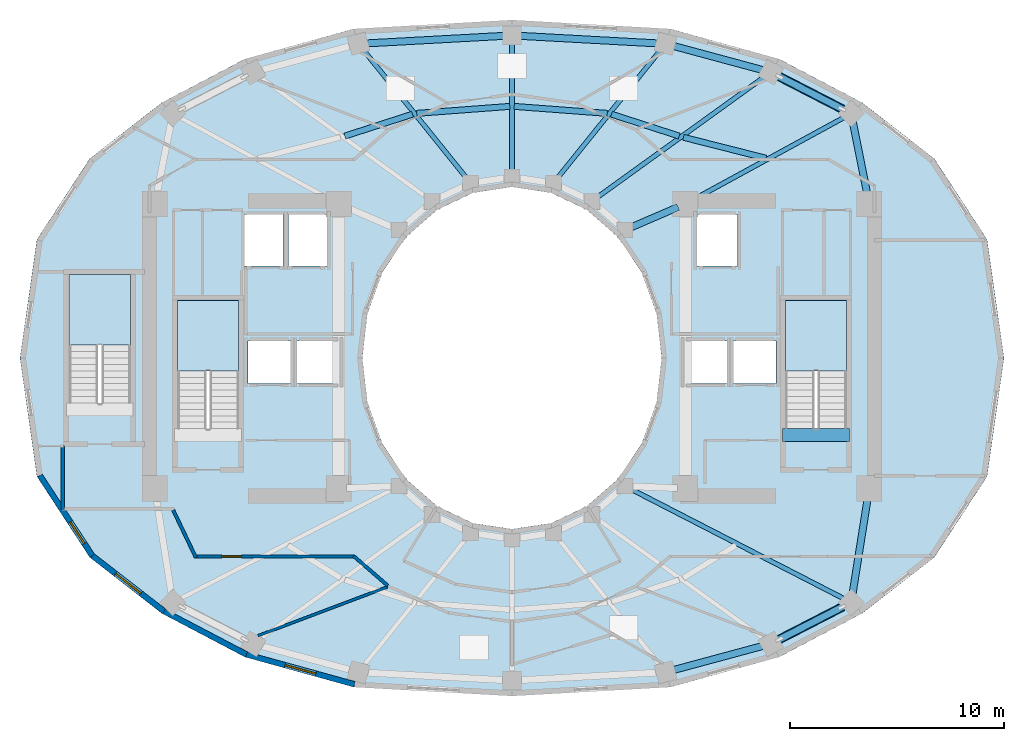
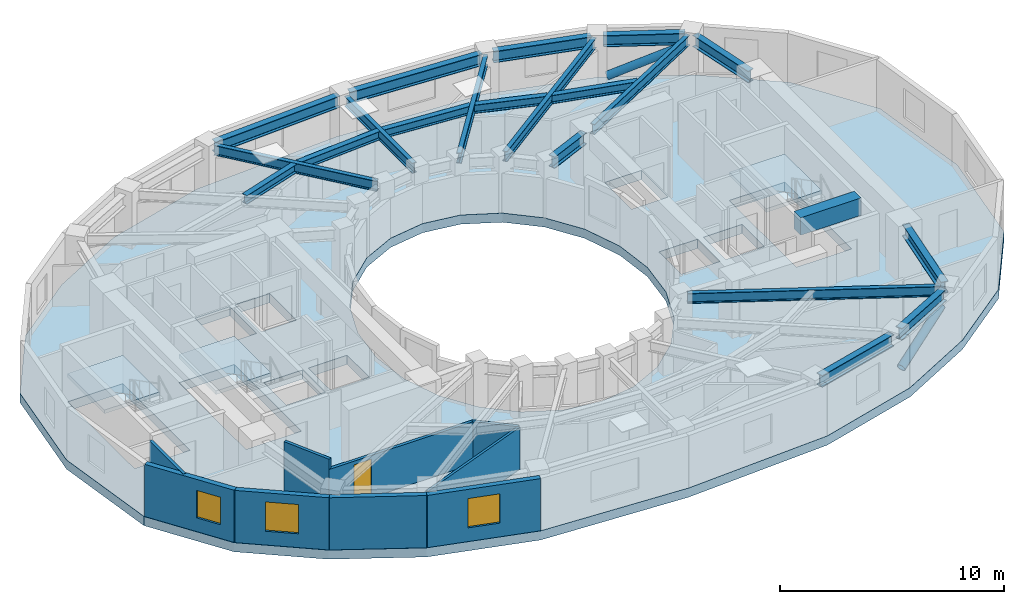
# One storey, part 2 of 9: 21 beams, 9 walls, 4 slabs, 3 windows, 2 members, 1 door, 4 openings, 3 elements without a shape of their own.
"""IFC4 building model written with IfcOpenShell, lengths in metres."""

from ifc_helpers import new_model, si_unit, direction, frame, frame_2d, origin, origin_2d, place, context, subcontext, project, spatial, polyline, rectangle, hollow_circle, i_section, outline, extrude, material, layer, layer_set, material_profile, profile_set, type_object, element, fill, aggregate, save


model = new_model("IFC4")

# Units and contexts
model_context = context("Model", 3, precision=1e-05, world=origin(), true_north=direction((0.0, 1.0)))
body_context = subcontext(model_context, "Body", "Model", "MODEL_VIEW")
ifc_project = project(units=[si_unit("LENGTHUNIT", "METRE"), si_unit("AREAUNIT", "SQUARE_METRE"), si_unit("VOLUMEUNIT", "CUBIC_METRE"), si_unit("PLANEANGLEUNIT", "RADIAN"), si_unit("MASSUNIT", "GRAM", prefix="KILO")], contexts=[model_context])

# Site, building, storey
site_placement = place(None, origin())
site = spatial("IfcSite", under=ifc_project, at=site_placement, CompositionType="ELEMENT")
building_placement = place(site_placement, origin())
building = spatial("IfcBuilding", under=site, at=building_placement, Name="Solvane Sanctuary Tower", CompositionType="ELEMENT")
storey_placement = place(building_placement, frame((0.0, 0.0, 162.199951171875)))
storey = spatial("IfcBuildingStorey", under=building, at=storey_placement, Name="L49", CompositionType="ELEMENT", Elevation=162.199951171875)

# Beams
ifc_material_1 = material(Name="Concrete C70/85", Category="concrete")
ifc_material_profile_1 = material_profile(ifc_material_1, rectangle(XDim=0.60009765625, YDim=0.949951171875, at=origin_2d()), Name="RC600X950")
ifc_profile_set_1 = profile_set([ifc_material_profile_1], Name="Concrete C70/85")
beam_type_1 = type_object("IfcBeamType", Name="Beam B-COUPLE RC600X950", PredefinedType="LINTEL", material=ifc_profile_set_1)
beam_1_placement = place(storey_placement, frame((44.64990234375, 19.399169921875, 2.625), z_axis=(1.0, 0.0, 0.0), x_axis=(0.0, 1.0, 0.0)))
element("IfcBeam", 1, at=beam_1_placement, inside=storey, type_object=beam_type_1, Name="L49 ST-2 Stair Floor Landing Trimmer", PredefinedType="LINTEL", context=body_context, shape_type="SweptSolid", body=[
    extrude(rectangle(XDim=0.60009765625, YDim=0.949951171875, at=origin_2d()), origin(), (0.0, 0.0, 1.0), 3.1201171875),
])
ifc_material_2 = material(Name="Steel ASTM A992 Grade 50", Category="steel")
ifc_material_profile_2 = material_profile(ifc_material_2, i_section(OverallWidth=0.214111328125, OverallDepth=0.549072265625, WebThickness=0.0146484375, FlangeThickness=0.023681640625, FilletRadius=0.014892578125, at=origin_2d()), Name="W21X93")
ifc_profile_set_2 = profile_set([ifc_material_profile_2], Name="Steel ASTM A992 Grade 50")
beam_type_2 = type_object("IfcBeamType", Name="Beam B-RAD-Z3 W21X93", PredefinedType="JOIST", material=ifc_profile_set_2)
beam_2_placement = place(storey_placement, frame((40.416015625, 30.372314453125, 2.603515625), z_axis=(0.878108435277, 0.478461676516, 0.0), x_axis=(-0.478461676516, 0.878108435277, 0.0)))
element("IfcBeam", 2, at=beam_2_placement, inside=storey, type_object=beam_type_2, Name="L49 Radial Composite Floor Beam 01", PredefinedType="JOIST", context=body_context, shape_type="SweptSolid", body=[
    extrude(i_section(OverallWidth=0.214111328125, OverallDepth=0.549072265625, WebThickness=0.0146484375, FlangeThickness=0.023681640625, FilletRadius=0.014892578125, at=origin_2d()), origin(), (0.0, 0.0, 1.0), 8.193359375),
])
beam_3_placement = place(storey_placement, frame((35.95703125, 30.490234375, 2.603515625), z_axis=(0.811184384633, 0.584790470277, 0.0), x_axis=(-0.584790470277, 0.811184384633, 0.0)))
element("IfcBeam", 3, at=beam_3_placement, inside=storey, type_object=beam_type_2, Name="L49 Radial Composite Floor Beam 02", PredefinedType="JOIST", context=body_context, shape_type="SweptSolid", body=[
    extrude(i_section(OverallWidth=0.214111328125, OverallDepth=0.549072265625, WebThickness=0.0146484375, FlangeThickness=0.023681640625, FilletRadius=0.014892578125, at=origin_2d()), origin(), (0.0, 0.0, 1.0), 9.756103515625),
])
beam_4_placement = place(storey_placement, frame((34.1064453125, 31.389892578125, 2.603515625), z_axis=(0.627296867999, 0.778780225352, 0.0), x_axis=(-0.778780225352, 0.627296867999, 0.0)))
element("IfcBeam", 4, at=beam_4_placement, inside=storey, type_object=beam_type_2, Name="L49 Radial Composite Floor Beam 03", PredefinedType="JOIST", context=body_context, shape_type="SweptSolid", body=[
    extrude(i_section(OverallWidth=0.214111328125, OverallDepth=0.549072265625, WebThickness=0.0146484375, FlangeThickness=0.023681640625, FilletRadius=0.014892578125, at=origin_2d()), origin(), (0.0, 0.0, 1.0), 7.805419921875),
])
beam_5_placement = place(storey_placement, frame((32.0, 31.739990234375, 2.603515625), z_axis=(0.0, 1.0, 0.0), x_axis=(-1.0, 0.0, 0.0)))
element("IfcBeam", 5, at=beam_5_placement, inside=storey, type_object=beam_type_2, Name="L49 Radial Composite Floor Beam 04", PredefinedType="JOIST", context=body_context, shape_type="SweptSolid", body=[
    extrude(i_section(OverallWidth=0.214111328125, OverallDepth=0.549072265625, WebThickness=0.0146484375, FlangeThickness=0.023681640625, FilletRadius=0.014892578125, at=origin_2d()), origin(), (0.0, 0.0, 1.0), 6.06005859375),
])
beam_6_placement = place(storey_placement, frame((29.8935546875, 31.389892578125, 2.603515625), z_axis=(-0.627296867999, 0.778780225352, 0.0), x_axis=(-0.778780225352, -0.627296867999, 0.0)))
element("IfcBeam", 6, at=beam_6_placement, inside=storey, type_object=beam_type_2, Name="L49 Radial Composite Floor Beam 05", PredefinedType="JOIST", context=body_context, shape_type="SweptSolid", body=[
    extrude(i_section(OverallWidth=0.214111328125, OverallDepth=0.549072265625, WebThickness=0.0146484375, FlangeThickness=0.023681640625, FilletRadius=0.014892578125, at=origin_2d()), origin(), (0.0, 0.0, 1.0), 7.805419921875),
])
beam_7_placement = place(storey_placement, frame((37.52392578125, 16.889892578125, 2.603515625), z_axis=(0.889204980299, -0.457509019595, 0.0), x_axis=(0.457509019595, 0.889204980299, 0.0)))
element("IfcBeam", 7, at=beam_7_placement, inside=storey, type_object=beam_type_2, Name="L49 Radial Composite Floor Beam 14", PredefinedType="JOIST", context=body_context, shape_type="SweptSolid", body=[
    extrude(i_section(OverallWidth=0.214111328125, OverallDepth=0.549072265625, WebThickness=0.0146484375, FlangeThickness=0.023681640625, FilletRadius=0.014892578125, at=origin_2d()), origin(), (0.0, 0.0, 1.0), 11.340087890625),
])
ifc_material_profile_3 = material_profile(ifc_material_2, i_section(OverallWidth=0.324951171875, OverallDepth=0.615966796875, WebThickness=0.013916015625, FlangeThickness=0.021484375, FilletRadius=0.01611328125, at=origin_2d()), Name="W24X117")
ifc_profile_set_3 = profile_set([ifc_material_profile_3], Name="Steel ASTM A992 Grade 50")
beam_type_3 = type_object("IfcBeamType", Name="Beam B-RING-IN2 W24X117", PredefinedType="BEAM", material=ifc_profile_set_3)
beam_8_placement = place(storey_placement, frame((37.591796875, 29.11865234375, 2.570068359375), z_axis=(0.918264067649, 0.395968561966, 0.0), x_axis=(-0.395968561966, 0.918264067649, 0.0)))
element("IfcBeam", 8, at=beam_8_placement, inside=storey, type_object=beam_type_3, Name="L49 Inner Light-Well Ring Beam IC01-CE4", PredefinedType="BEAM", context=body_context, shape_type="SweptSolid", body=[
    extrude(i_section(OverallWidth=0.324951171875, OverallDepth=0.615966796875, WebThickness=0.013916015625, FlangeThickness=0.021484375, FilletRadius=0.01611328125, at=origin_2d()), origin(), (0.0, 0.0, 1.0), 2.371337890625),
])
ifc_material_profile_4 = material_profile(ifc_material_2, i_section(OverallWidth=0.280029296875, OverallDepth=0.462890625, WebThickness=0.0107421875, FlangeThickness=0.017333984375, FilletRadius=0.013916015625, at=origin_2d()), Name="W18X76")
ifc_profile_set_4 = profile_set([ifc_material_profile_4], Name="Steel ASTM A992 Grade 50")
beam_type_4 = type_object("IfcBeamType", Name="Beam B-SEC-JOIST W18X76", PredefinedType="JOIST", material=ifc_profile_set_4)
beam_9_placement = place(storey_placement, frame((24.18310546875, 33.37451171875, 2.646484375), z_axis=(0.951520984169, 0.307583836842, 0.0), x_axis=(-0.307583836842, 0.951520984169, 0.0)))
element("IfcBeam", 9, at=beam_9_placement, inside=storey, type_object=beam_type_4, Name="L49 Secondary Circumferential Joist 06-05", PredefinedType="JOIST", context=body_context, shape_type="SweptSolid", body=[
    extrude(i_section(OverallWidth=0.280029296875, OverallDepth=0.462890625, WebThickness=0.0107421875, FlangeThickness=0.017333984375, FilletRadius=0.013916015625, at=origin_2d()), origin(), (0.0, 0.0, 1.0), 3.32666015625),
])
for number, where, z_axis, x_axis, name in (
    (10, (27.547119140625, 34.436767578125, 2.646484375), (0.99721035762, 0.074642498994, 0.0), (-0.074642498994, 0.99721035762, 0.0), "L49 Secondary Circumferential Joist 05-04"),
    (11, (32.101806640625, 34.762451171875, 2.646484375), (0.99721035762, -0.074642498994, 0.0), (0.074642498994, 0.99721035762, 0.0), "L49 Secondary Circumferential Joist 04-03"),
):
    element("IfcBeam", number, at=place(storey_placement, frame(where, z_axis=z_axis, x_axis=x_axis)), inside=storey, type_object=beam_type_4, Name=name, PredefinedType="JOIST", context=body_context, shape_type="SweptSolid", body=[
        extrude(i_section(OverallWidth=0.280029296875, OverallDepth=0.462890625, WebThickness=0.0107421875, FlangeThickness=0.017333984375, FilletRadius=0.013916015625, at=origin_2d()), origin(), (0.0, 0.0, 1.0), 4.36328125),
    ])
beam_10_placement = place(storey_placement, frame((36.651611328125, 34.397705078125, 2.646484375), z_axis=(0.951520984169, -0.307583836842, 0.0), x_axis=(0.307583836842, 0.951520984169, 0.0)))
element("IfcBeam", 12, at=beam_10_placement, inside=storey, type_object=beam_type_4, Name="L49 Secondary Circumferential Joist 03-02", PredefinedType="JOIST", context=body_context, shape_type="SweptSolid", body=[
    extrude(i_section(OverallWidth=0.280029296875, OverallDepth=0.462890625, WebThickness=0.0107421875, FlangeThickness=0.017333984375, FilletRadius=0.013916015625, at=origin_2d()), origin(), (0.0, 0.0, 1.0), 3.32666015625),
])
beam_11_placement = place(storey_placement, frame((40.012939453125, 33.31787109375, 2.646484375), z_axis=(0.969378020231, -0.245573316737, 0.0), x_axis=(0.245573316737, 0.969378020231, 0.0)))
element("IfcBeam", 13, at=beam_11_placement, inside=storey, type_object=beam_type_4, Name="L49 Secondary Circumferential Joist 02-01", PredefinedType="JOIST", context=body_context, shape_type="SweptSolid", body=[
    extrude(i_section(OverallWidth=0.280029296875, OverallDepth=0.462890625, WebThickness=0.0107421875, FlangeThickness=0.017333984375, FilletRadius=0.013916015625, at=origin_2d()), origin(), (0.0, 0.0, 1.0), 3.988525390625),
])
ifc_material_profile_5 = material_profile(ifc_material_2, i_section(OverallWidth=0.327880859375, OverallDepth=0.6279296875, WebThickness=0.0166015625, FlangeThickness=0.027587890625, FilletRadius=0.01611328125, at=origin_2d()), Name="W24X146")
ifc_profile_set_5 = profile_set([ifc_material_profile_5], Name="Steel ASTM A992 Grade 50")
beam_type_5 = type_object("IfcBeamType", Name="Beam B-SPAND-Z3 W24X146", PredefinedType="SPANDREL", material=ifc_profile_set_5)
for number, where, z_axis, x_axis, name in (
    (14, (25.101318359375, 37.701904296875, 2.56396484375), (0.998501325362, 0.054727536496, 0.0), (-0.054727536496, 0.998501325362, 0.0), "L49 Perimeter Spandrel Beam TC05-TC04"),
    (15, (32.279541015625, 38.064697265625, 2.56396484375), (0.998501325362, -0.054727536496, 0.0), (0.054727536496, 0.998501325362, 0.0), "L49 Perimeter Spandrel Beam TC04-TC03"),
):
    element("IfcBeam", number, at=place(storey_placement, frame(where, z_axis=z_axis, x_axis=x_axis)), inside=storey, type_object=beam_type_5, Name=name, PredefinedType="SPANDREL", context=body_context, shape_type="SweptSolid", body=[
        extrude(i_section(OverallWidth=0.327880859375, OverallDepth=0.6279296875, WebThickness=0.0166015625, FlangeThickness=0.027587890625, FilletRadius=0.01611328125, at=origin_2d()), origin(), (0.0, 0.0, 1.0), 6.629150390625),
    ])
beam_12_placement = place(storey_placement, frame((39.448486328125, 37.61376953125, 2.56396484375), z_axis=(0.965473224565, -0.260502308334, 0.0), x_axis=(0.260502308334, 0.965473224565, 0.0)))
element("IfcBeam", 16, at=beam_12_placement, inside=storey, type_object=beam_type_5, Name="L49 Perimeter Spandrel Beam TC03-TC02", PredefinedType="SPANDREL", context=body_context, shape_type="SweptSolid", body=[
    extrude(i_section(OverallWidth=0.327880859375, OverallDepth=0.6279296875, WebThickness=0.0166015625, FlangeThickness=0.027587890625, FilletRadius=0.01611328125, at=origin_2d()), origin(), (0.0, 0.0, 1.0), 4.535888671875),
])
beam_13_placement = place(storey_placement, frame((44.34716796875, 36.231201171875, 2.56396484375), z_axis=(0.889295540094, -0.457332966632, 0.0), x_axis=(0.457332966632, 0.889295540094, 0.0)))
element("IfcBeam", 17, at=beam_13_placement, inside=storey, type_object=beam_type_5, Name="L49 Perimeter Spandrel Beam TC02-TC01", PredefinedType="SPANDREL", context=body_context, shape_type="SweptSolid", body=[
    extrude(i_section(OverallWidth=0.327880859375, OverallDepth=0.6279296875, WebThickness=0.0166015625, FlangeThickness=0.027587890625, FilletRadius=0.01611328125, at=origin_2d()), origin(), (0.0, 0.0, 1.0), 3.66650390625),
])
beam_14_placement = place(storey_placement, frame((47.911376953125, 34.15185546875, 2.56396484375), z_axis=(0.195715452505, -0.980660727087, 0.0), x_axis=(0.980660727087, 0.195715452505, 0.0)))
element("IfcBeam", 18, at=beam_14_placement, inside=storey, type_object=beam_type_5, Name="L49 Perimeter Spandrel Beam TC01-CE3", PredefinedType="SPANDREL", context=body_context, shape_type="SweptSolid", body=[
    extrude(i_section(OverallWidth=0.327880859375, OverallDepth=0.6279296875, WebThickness=0.0166015625, FlangeThickness=0.027587890625, FilletRadius=0.01611328125, at=origin_2d()), origin(), (0.0, 0.0, 1.0), 3.749755859375),
])
beam_15_placement = place(storey_placement, frame((39.448486328125, 8.38623046875, 2.56396484375), z_axis=(0.965473224565, 0.260502308334, 0.0), x_axis=(-0.260502308334, 0.965473224565, 0.0)))
element("IfcBeam", 19, at=beam_15_placement, inside=storey, type_object=beam_type_5, Name="L49 Perimeter Spandrel Beam TC12-TC13", PredefinedType="SPANDREL", context=body_context, shape_type="SweptSolid", body=[
    extrude(i_section(OverallWidth=0.327880859375, OverallDepth=0.6279296875, WebThickness=0.0166015625, FlangeThickness=0.027587890625, FilletRadius=0.01611328125, at=origin_2d()), origin(), (0.0, 0.0, 1.0), 4.535888671875),
])
beam_16_placement = place(storey_placement, frame((44.34716796875, 9.768798828125, 2.56396484375), z_axis=(0.889295540094, 0.457332966632, 0.0), x_axis=(-0.457332966632, 0.889295540094, 0.0)))
element("IfcBeam", 20, at=beam_16_placement, inside=storey, type_object=beam_type_5, Name="L49 Perimeter Spandrel Beam TC13-TC14", PredefinedType="SPANDREL", context=body_context, shape_type="SweptSolid", body=[
    extrude(i_section(OverallWidth=0.327880859375, OverallDepth=0.6279296875, WebThickness=0.0166015625, FlangeThickness=0.027587890625, FilletRadius=0.01611328125, at=origin_2d()), origin(), (0.0, 0.0, 1.0), 3.66650390625),
])
beam_17_placement = place(storey_placement, frame((47.900390625, 11.85009765625, 2.56396484375), z_axis=(0.156406167317, 0.987692822099, 0.0), x_axis=(-0.987692822099, 0.156406167317, 0.0)))
element("IfcBeam", 21, at=beam_17_placement, inside=storey, type_object=beam_type_5, Name="L49 Perimeter Spandrel Beam TC14-CE2", PredefinedType="SPANDREL", context=body_context, shape_type="SweptSolid", body=[
    extrude(i_section(OverallWidth=0.327880859375, OverallDepth=0.6279296875, WebThickness=0.0166015625, FlangeThickness=0.027587890625, FilletRadius=0.01611328125, at=origin_2d()), origin(), (0.0, 0.0, 1.0), 4.832763671875),
])

# Members
ifc_material_profile_6 = material_profile(ifc_material_2, hollow_circle(Radius=0.202880859375, WallThickness=0.012451171875, at=origin_2d()), Name="CHS406X12.5")
ifc_profile_set_6 = profile_set([ifc_material_profile_6], Name="Steel ASTM A992 Grade 50")
member_type = type_object("IfcMemberType", Name="Member M-TUBE-Z3 CHS406X12.5", PredefinedType="BRACE", material=ifc_profile_set_6)
for number, where, z_axis, x_axis, name in (
    (22, (44.5068359375, 36.149169921875, 0.58349609375), (0.813251703989, -0.418247617111, 0.404586945834), (0.457351371069, 0.889286075108, 0.0), "L49 Perimeter Braced-Tube Diagonal NE"),
    (23, (44.5068359375, 9.850830078125, 0.58349609375), (0.813251703989, 0.418247617111, 0.404586945834), (-0.457351371069, 0.889286075108, 0.0), "L49 Perimeter Braced-Tube Diagonal SE"),
):
    element("IfcMember", number, at=place(storey_placement, frame(where, z_axis=z_axis, x_axis=x_axis)), inside=storey, type_object=member_type, Name=name, PredefinedType="BRACE", context=body_context, shape_type="SweptSolid", body=[
        extrude(hollow_circle(Radius=0.202880859375, WallThickness=0.012451171875, at=origin_2d()), origin(), (0.0, 0.0, 1.0), 3.59228515625),
    ])

# Stair, slab
ifc_material_3 = material(Name="Concrete C45/55", Category="concrete")
stair_type = type_object("IfcStairType", Name="Stair ST-TOW", PredefinedType="HALF_TURN_STAIR", material=ifc_material_3)
stair_1_placement = place(storey_placement, origin())
stair_1 = element("IfcStair", 24, at=stair_1_placement, inside=storey, type_object=stair_type, Name="L49 Exit Stair ST-1 West Core", PredefinedType="HALF_TURN_STAIR")
ifc_layer_1 = layer(ifc_material_3, 0.199951171875, Name="Concrete C45/55")
ifc_layer_set_1 = layer_set([ifc_layer_1], Name="Concrete C45/55")
slab_type_1 = type_object("IfcSlabType", Name="Slab SL-LAND-180", PredefinedType="LANDING", material=ifc_layer_set_1)
slab_1_placement = place(storey_placement, frame((0.0, 0.0, 1.35009765625)))
slab_1 = element("IfcSlab", 25, at=slab_1_placement, type_object=slab_type_1, Name="ST-1 landing 1", PredefinedType="LANDING", context=body_context, shape_type="SweptSolid", body=[
    extrude(outline(polyline([(19.219970703125, 22.39990234375), (19.219970703125, 25.699951171875), (16.360107421875, 25.699951171875), (16.360107421875, 22.39990234375), (19.219970703125, 22.39990234375)])), origin(), (0.0, 0.0, 1.0), 0.199951171875),
])
aggregate(stair_1, [slab_1])

stair_2_placement = place(storey_placement, origin())
stair_2 = element("IfcStair", 26, at=stair_2_placement, inside=storey, type_object=stair_type, Name="L49 Exit Stair ST-2 East Core", PredefinedType="HALF_TURN_STAIR")
slab_2_placement = place(storey_placement, frame((0.0, 0.0, 1.35009765625)))
slab_2 = element("IfcSlab", 27, at=slab_2_placement, type_object=slab_type_1, Name="ST-2 landing 1", PredefinedType="LANDING", context=body_context, shape_type="SweptSolid", body=[
    extrude(outline(polyline([(47.639892578125, 22.39990234375), (47.639892578125, 25.699951171875), (44.780029296875, 25.699951171875), (44.780029296875, 22.39990234375), (47.639892578125, 22.39990234375)])), origin(), (0.0, 0.0, 1.0), 0.199951171875),
])
aggregate(stair_2, [slab_2])

stair_3_placement = place(storey_placement, origin())
stair_3 = element("IfcStair", 28, at=stair_3_placement, inside=storey, type_object=stair_type, Name="L49 Exit Stair ST-3 Pilgrim Tower Stair", PredefinedType="HALF_TURN_STAIR")
slab_3_placement = place(storey_placement, frame((0.0, 0.0, 1.35009765625)))
slab_3 = element("IfcSlab", 29, at=slab_3_placement, type_object=slab_type_1, Name="ST-3 landing 1", PredefinedType="LANDING", context=body_context, shape_type="SweptSolid", body=[
    extrude(outline(polyline([(14.159912109375, 23.60009765625), (14.159912109375, 26.89990234375), (11.300048828125, 26.89990234375), (11.300048828125, 23.60009765625), (14.159912109375, 23.60009765625)])), origin(), (0.0, 0.0, 1.0), 0.199951171875),
])
aggregate(stair_3, [slab_3])

# Slab
ifc_material_4 = material(Name="Concrete C60/75", Category="concrete")
ifc_layer_2 = layer(ifc_material_4, 0.5, Name="Concrete C60/75")
ifc_layer_set_2 = layer_set([ifc_layer_2], Name="Concrete C60/75")
slab_type_2 = type_object("IfcSlabType", Name="Slab SL-XFER-500", PredefinedType="FLOOR", material=ifc_layer_set_2)
slab_4_placement = place(storey_placement, frame((0.0, 0.0, -0.5)))
element("IfcSlab", 30, at=slab_4_placement, inside=storey, type_object=slab_type_2, Name="L49 Primary Structural Slab", PredefinedType="FLOOR", context=body_context, shape_type="SweptSolid", body=[
    extrude(outline(polyline([(55.0, 23.0), (54.205322265625, 28.54150390625), (51.7392578125, 32.3193359375), (48.368896484375, 34.938720703125), (44.489013671875, 36.977294921875), (39.410400390625, 38.3818359375), (32.0, 38.800048828125), (24.589599609375, 38.3818359375), (19.510986328125, 36.977294921875), (15.631103515625, 34.938720703125), (12.2607421875, 32.3193359375), (9.794677734375, 28.54150390625), (9.0, 23.0), (9.794677734375, 17.45849609375), (12.2607421875, 13.6806640625), (15.631103515625, 11.061279296875), (19.510986328125, 9.022705078125), (24.589599609375, 7.6181640625), (32.0, 7.199951171875), (39.410400390625, 7.6181640625), (44.489013671875, 9.022705078125), (48.368896484375, 11.061279296875), (51.7392578125, 13.6806640625), (54.205322265625, 17.45849609375), (55.0, 23.0)]), holes=[polyline([(38.761474609375, 20.929443359375), (38.062255859375, 19.0), (36.94970703125, 17.343017578125), (35.5, 16.07177734375), (33.811767578125, 15.272705078125), (32.0, 15.0), (30.188232421875, 15.272705078125), (28.5, 16.07177734375), (27.05029296875, 17.343017578125), (25.937744140625, 19.0), (25.238525390625, 20.929443359375), (25.0, 23.0), (25.238525390625, 25.070556640625), (25.937744140625, 27.0), (27.05029296875, 28.656982421875), (28.5, 29.92822265625), (30.188232421875, 30.727294921875), (32.0, 31.0), (33.811767578125, 30.727294921875), (35.5, 29.92822265625), (36.94970703125, 28.656982421875), (38.062255859375, 27.0), (38.761474609375, 25.070556640625), (39.0, 23.0), (38.761474609375, 20.929443359375)]), polyline([(16.360107421875, 19.699951171875), (16.360107421875, 25.699951171875), (19.219970703125, 25.699951171875), (19.219970703125, 19.699951171875), (16.360107421875, 19.699951171875)]), polyline([(44.780029296875, 19.699951171875), (44.780029296875, 25.699951171875), (47.639892578125, 25.699951171875), (47.639892578125, 19.699951171875), (44.780029296875, 19.699951171875)]), polyline([(11.300048828125, 20.89990234375), (11.300048828125, 26.89990234375), (14.159912109375, 26.89990234375), (14.159912109375, 20.89990234375), (11.300048828125, 20.89990234375)]), polyline([(19.64990234375, 23.800048828125), (21.64990234375, 23.800048828125), (21.64990234375, 21.800048828125), (19.64990234375, 21.800048828125), (19.64990234375, 23.800048828125)]), polyline([(42.35009765625, 23.800048828125), (44.35009765625, 23.800048828125), (44.35009765625, 21.800048828125), (42.35009765625, 21.800048828125), (42.35009765625, 23.800048828125)]), polyline([(21.949951171875, 23.800048828125), (23.949951171875, 23.800048828125), (23.949951171875, 21.800048828125), (21.949951171875, 21.800048828125), (21.949951171875, 23.800048828125)]), polyline([(40.050048828125, 23.800048828125), (42.050048828125, 23.800048828125), (42.050048828125, 21.800048828125), (40.050048828125, 21.800048828125), (40.050048828125, 23.800048828125)]), polyline([(19.5, 29.699951171875), (21.300048828125, 29.699951171875), (21.300048828125, 27.300048828125), (19.5, 27.300048828125), (19.5, 29.699951171875)]), polyline([(21.550048828125, 29.699951171875), (23.35009765625, 29.699951171875), (23.35009765625, 27.300048828125), (21.550048828125, 27.300048828125), (21.550048828125, 29.699951171875)]), polyline([(40.64990234375, 29.699951171875), (42.550048828125, 29.699951171875), (42.550048828125, 27.300048828125), (40.64990234375, 27.300048828125), (40.64990234375, 29.699951171875)])]), origin(), (0.0, 0.0, 1.0), 0.5),
])

# Walls
ifc_material_5 = material(Name="Acoustic Gypsum Partition Board")
ifc_layer_3 = layer(ifc_material_5, 0.14990234375, Name="Acoustic Gypsum Partition Board")
ifc_layer_set_3 = layer_set([ifc_layer_3], Name="Acoustic Gypsum Partition Board")
wall_type_1 = type_object("IfcWallType", Name="Wall W-CORR-150", PredefinedType="PARTITIONING", material=ifc_layer_set_3)
wall_1_placement = place(storey_placement, frame((11.0, 15.909912109375, 0.0), z_axis=(0.0, 0.0, 1.0), x_axis=(0.0, 1.0, 0.0)))
element("IfcWall", 31, at=wall_1_placement, inside=storey, type_object=wall_type_1, Name="L49 SW Corner Closer 2", PredefinedType="PARTITIONING", context=body_context, shape_type="SweptSolid", body=[
    extrude(rectangle(XDim=3.010009765625, YDim=0.14990234375, at=frame_2d((1.5048828125, 0.0))), origin(), (0.0, 0.0, 1.0), 2.85498046875),
])
wall_2_placement = place(storey_placement, frame((26.193359375, 12.35791015625, 0.0), z_axis=(0.0, 0.0, 1.0), x_axis=(-0.756055312247, 0.654507727092, 0.0)))
element("IfcWall", 32, at=wall_2_placement, inside=storey, type_object=wall_type_1, Name="L49 SW Corner Throat Wall", PredefinedType="PARTITIONING", context=body_context, shape_type="SweptSolid", body=[
    extrude(rectangle(XDim=2.11083984375, YDim=0.14990234375, at=frame_2d((1.055419921875, 0.0))), origin(), (0.0, 0.0, 1.0), 2.299072265625),
])

# Wall, opening, door
wall_3_placement = place(storey_placement, frame((17.14990234375, 13.719970703125, 0.0), z_axis=(0.0, 0.0, 1.0), x_axis=(1.0, 0.0, 0.0)))
wall_3 = element("IfcWall", 33, at=wall_3_placement, inside=storey, type_object=wall_type_1, Name="L49 SW Corner Corridor Wall", PredefinedType="PARTITIONING", context=body_context, shape_type="SweptSolid", body=[
    extrude(rectangle(XDim=7.52001953125, YDim=0.14990234375, at=frame_2d((3.760009765625, 0.0))), origin(), (0.0, 0.0, 1.0), 2.299072265625),
])
opening_1_placement = place(wall_3_placement, frame((1.300048828125, 0.0, 0.0)))
opening_1 = element("IfcOpeningElement", 34, at=opening_1_placement, cuts=wall_3, Name="Opening D-L49-17", PredefinedType="OPENING", context=body_context, shape_type="SweptSolid", body=[
    extrude(rectangle(XDim=0.89990234375, YDim=2.10009765625, at=frame_2d((0.449951171875, 1.050048828125))), frame((0.0, 0.0849609375, 0.0), z_axis=(0.0, -1.0, 0.0), x_axis=(1.0, 0.0, 0.0)), (0.0, 0.0, 1.0), 0.169921875),
])
ifc_material_6 = material(Name="Engineered Tropical Hardwood", Category="wood")
door_type = type_object("IfcDoorType", Name="Door D-WET-900", OperationType="NOTDEFINED", PredefinedType="DOOR", material=ifc_material_6)
door_placement = place(opening_1_placement, origin())
door = element("IfcDoor", 35, at=door_placement, inside=storey, type_object=door_type, Name="L49 SW Corner Salon Door", OperationType="SINGLE_SWING_RIGHT", OverallHeight=2.10009765625, OverallWidth=0.89990234375, PredefinedType="DOOR", context=body_context, shape_type="SweptSolid", body=[
    extrude(rectangle(XDim=0.89990234375, YDim=2.10009765625, at=frame_2d((0.449951171875, 1.050048828125))), frame((0.0, 0.02490234375, 0.0), z_axis=(0.0, -1.0, 0.0), x_axis=(1.0, 0.0, 0.0)), (0.0, 0.0, 1.0), 0.050048828125),
])
fill(opening_1, door)

# Wall
wall_4_placement = place(storey_placement, frame((17.2216796875, 13.6748046875, 0.0), z_axis=(0.0, 0.0, 1.0), x_axis=(-0.431973389813, 0.901886351207, 0.0)))
element("IfcWall", 36, at=wall_4_placement, inside=storey, type_object=wall_type_1, Name="L49 SW Corner Wing Wall", PredefinedType="PARTITIONING", context=body_context, shape_type="SweptSolid", body=[
    extrude(rectangle(XDim=2.45166015625, YDim=0.14990234375, at=frame_2d((1.225830078125, 0.0))), origin(), (0.0, 0.0, 1.0), 2.85498046875),
])

# Wall, opening, window
ifc_material_7 = material(Name="Precast concrete C40/50", Category="concrete")
ifc_layer_4 = layer(ifc_material_7, 0.260009765625, Name="Precast concrete C40/50")
ifc_layer_set_4 = layer_set([ifc_layer_4], Name="Precast concrete C40/50")
wall_type_2 = type_object("IfcWallType", Name="Wall W-EXT-250", PredefinedType="STANDARD", material=ifc_layer_set_4)
wall_5_placement = place(storey_placement, frame((9.9296875, 17.50341796875, 0.0), z_axis=(0.0, 0.0, 1.0), x_axis=(0.547456494366, -0.836834145322, 0.0)))
wall_5 = element("IfcWall", 37, at=wall_5_placement, inside=storey, type_object=wall_type_2, Name="L49 Ceramic-Printed Facade Wall 13", PredefinedType="STANDARD", context=body_context, shape_type="SweptSolid", body=[
    extrude(rectangle(XDim=4.477294921875, YDim=0.260009765625, at=frame_2d((2.23876953125, 0.0))), origin(), (0.0, 0.0, 1.0), 2.85009765625),
])
opening_2_placement = place(wall_5_placement, frame((2.59130859375, 0.0, 0.75)))
opening_2 = element("IfcOpeningElement", 38, at=opening_2_placement, cuts=wall_5, Name="Opening WN-OPER-1200", PredefinedType="OPENING", context=body_context, shape_type="SweptSolid", body=[
    extrude(rectangle(XDim=1.199951171875, YDim=1.5, at=frame_2d((0.60009765625, 0.75))), frame((0.0, 0.139892578125, 0.0), z_axis=(0.0, -1.0, 0.0), x_axis=(1.0, 0.0, 0.0)), (0.0, 0.0, 1.0), 0.280029296875),
])
ifc_material_8 = material(Name="Dark Ceramic-Fritted Low-E Glass", Category="glass")
window_type_1 = type_object("IfcWindowType", Name="Window WN-OPER-1200", PartitioningType="SINGLE_PANEL", PredefinedType="WINDOW", material=ifc_material_8)
window_1_placement = place(opening_2_placement, origin())
window_1 = element("IfcWindow", 39, at=window_1_placement, inside=storey, type_object=window_type_1, Name="L49 Operable Facade Window 13", OverallHeight=1.5, OverallWidth=1.199951171875, PartitioningType="SINGLE_PANEL", PredefinedType="WINDOW", context=body_context, shape_type="SweptSolid", body=[
    extrude(rectangle(XDim=1.199951171875, YDim=1.5, at=frame_2d((0.60009765625, 0.75))), frame((0.0, 0.030029296875, 0.0), z_axis=(0.0, -1.0, 0.0), x_axis=(1.0, 0.0, 0.0)), (0.0, 0.0, 1.0), 0.06005859375),
])
fill(opening_2, window_1)

wall_6_placement = place(storey_placement, frame((12.380859375, 13.756591796875, 0.0), z_axis=(0.0, 0.0, 1.0), x_axis=(0.790185650662, -0.612867552973, 0.0)))
wall_6 = element("IfcWall", 40, at=wall_6_placement, inside=storey, type_object=wall_type_2, Name="L49 Ceramic-Printed Facade Wall 14", PredefinedType="STANDARD", context=body_context, shape_type="SweptSolid", body=[
    extrude(rectangle(XDim=4.2392578125, YDim=0.260009765625, at=frame_2d((2.11962890625, 0.0))), origin(), (0.0, 0.0, 1.0), 2.85009765625),
])
opening_3_placement = place(wall_6_placement, frame((1.36962890625, 0.0, 0.75)))
opening_3 = element("IfcOpeningElement", 41, at=opening_3_placement, cuts=wall_6, Name="Opening WN-OPER-1500", PredefinedType="OPENING", context=body_context, shape_type="SweptSolid", body=[
    extrude(rectangle(XDim=1.5, YDim=1.60009765625, at=frame_2d((0.75, 0.800048828125))), frame((0.0, 0.139892578125, 0.0), z_axis=(0.0, -1.0, 0.0), x_axis=(1.0, 0.0, 0.0)), (0.0, 0.0, 1.0), 0.280029296875),
])
window_type_2 = type_object("IfcWindowType", Name="Window WN-OPER-1500", PartitioningType="SINGLE_PANEL", PredefinedType="WINDOW", material=ifc_material_8)
window_2_placement = place(opening_3_placement, origin())
window_2 = element("IfcWindow", 42, at=window_2_placement, inside=storey, type_object=window_type_2, Name="L49 Operable Facade Window 14", OverallHeight=1.60009765625, OverallWidth=1.5, PartitioningType="SINGLE_PANEL", PredefinedType="WINDOW", context=body_context, shape_type="SweptSolid", body=[
    extrude(rectangle(XDim=1.5, YDim=1.60009765625, at=frame_2d((0.75, 0.800048828125))), frame((0.0, 0.030029296875, 0.0), z_axis=(0.0, -1.0, 0.0), x_axis=(1.0, 0.0, 0.0)), (0.0, 0.0, 1.0), 0.06005859375),
])
fill(opening_3, window_2)

# Wall
wall_7_placement = place(storey_placement, frame((15.730712890625, 11.158447265625, 0.0), z_axis=(0.0, 0.0, 1.0), x_axis=(0.885660265226, -0.464333818065, 0.0)))
element("IfcWall", 43, at=wall_7_placement, inside=storey, type_object=wall_type_2, Name="L49 Ceramic-Printed Facade Wall 15", PredefinedType="STANDARD", context=body_context, shape_type="SweptSolid", body=[
    extrude(rectangle(XDim=4.35400390625, YDim=0.260009765625, at=frame_2d((2.177001953125, 0.0))), origin(), (0.0, 0.0, 1.0), 2.85009765625),
])

# Wall, opening, window
wall_8_placement = place(storey_placement, frame((19.5869140625, 9.13671875, 0.0), z_axis=(0.0, 0.0, 1.0), x_axis=(0.963953455704, -0.26607092144, 0.0)))
wall_8 = element("IfcWall", 44, at=wall_8_placement, inside=storey, type_object=wall_type_2, Name="L49 Ceramic-Printed Facade Wall 16", PredefinedType="STANDARD", context=body_context, shape_type="SweptSolid", body=[
    extrude(rectangle(XDim=5.236572265625, YDim=0.260009765625, at=frame_2d((2.6181640625, 0.0))), origin(), (0.0, 0.0, 1.0), 2.85009765625),
])
opening_4_placement = place(wall_8_placement, frame((1.868408203125, 0.0, 0.75)))
opening_4 = element("IfcOpeningElement", 45, at=opening_4_placement, cuts=wall_8, Name="Opening WN-OPER-1500", PredefinedType="OPENING", context=body_context, shape_type="SweptSolid", body=[
    extrude(rectangle(XDim=1.5, YDim=1.60009765625, at=frame_2d((0.75, 0.800048828125))), frame((0.0, 0.139892578125, 0.0), z_axis=(0.0, -1.0, 0.0), x_axis=(1.0, 0.0, 0.0)), (0.0, 0.0, 1.0), 0.280029296875),
])
window_3_placement = place(opening_4_placement, origin())
window_3 = element("IfcWindow", 46, at=window_3_placement, inside=storey, type_object=window_type_2, Name="L49 Operable Facade Window 16", OverallHeight=1.60009765625, OverallWidth=1.5, PartitioningType="SINGLE_PANEL", PredefinedType="WINDOW", context=body_context, shape_type="SweptSolid", body=[
    extrude(rectangle(XDim=1.5, YDim=1.60009765625, at=frame_2d((0.75, 0.800048828125))), frame((0.0, 0.030029296875, 0.0), z_axis=(0.0, -1.0, 0.0), x_axis=(1.0, 0.0, 0.0)), (0.0, 0.0, 1.0), 0.06005859375),
])
fill(opening_4, window_3)

# Wall
ifc_layer_5 = layer(ifc_material_5, 0.125, Name="Acoustic Gypsum Partition Board")
ifc_layer_set_5 = layer_set([ifc_layer_5], Name="Acoustic Gypsum Partition Board")
wall_type_3 = type_object("IfcWallType", Name="Wall W-PART-125", PredefinedType="PARTITIONING", material=ifc_layer_set_5)
wall_9_placement = place(storey_placement, frame((26.18359375, 12.302490234375, 0.0), z_axis=(0.0, 0.0, 1.0), x_axis=(-0.935601484289, -0.353057874288, 0.0)))
element("IfcWall", 47, at=wall_9_placement, inside=storey, type_object=wall_type_3, Name="L49 Radial Compartment Wall 240", PredefinedType="PARTITIONING", context=body_context, shape_type="SweptSolid", body=[
    extrude(rectangle(XDim=6.484130859375, YDim=0.125, at=frame_2d((3.2421875, 0.0))), origin(), (0.0, 0.0, 1.0), 2.299072265625),
])

save(model, "model.ifc")
